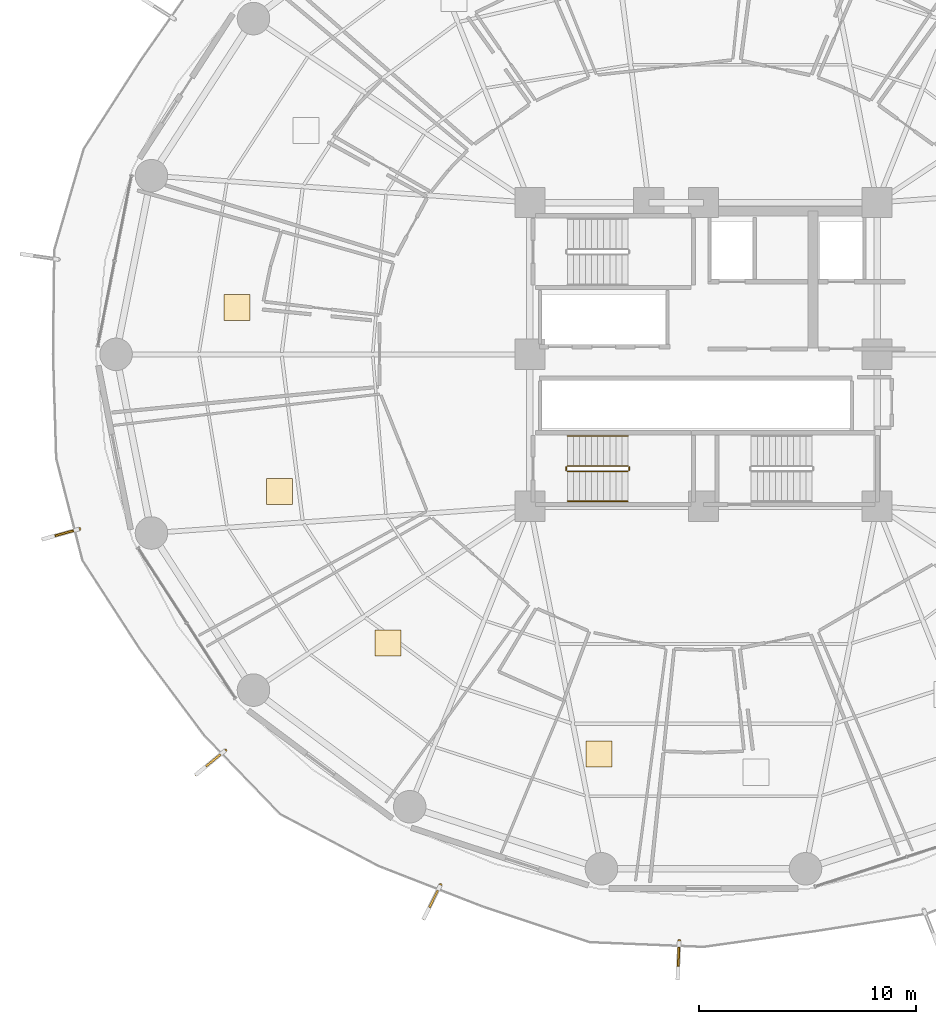
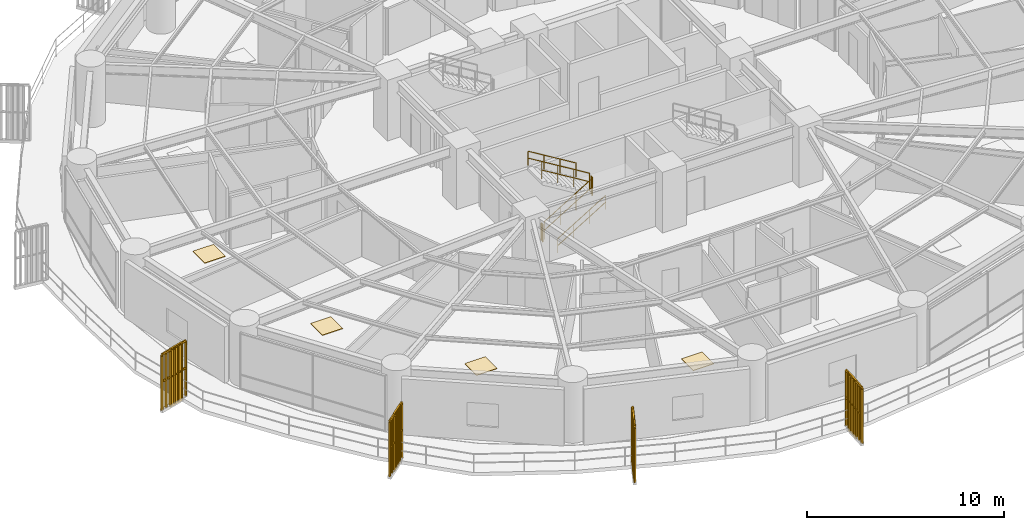
# One storey, part 28 of 32: 10 railings, 4 coverings, 4 shading devices.
"""IFC4 building model written with IfcOpenShell, lengths in metres."""

from ifc_helpers import new_model, si_unit, direction, frame, origin, origin_2d, place, context, subcontext, project, spatial, polyline, rectangle, outline, extrude, source, transform, mapped, material, layer, layer_set, type_object, element, save


model = new_model("IFC4")

# Units and contexts
model_context = context("Model", 3, precision=1e-05, world=origin(), true_north=direction((0.0, 1.0)))
body_context = subcontext(model_context, "Body", "Model", "MODEL_VIEW")
ifc_project = project(units=[si_unit("LENGTHUNIT", "METRE"), si_unit("AREAUNIT", "SQUARE_METRE"), si_unit("VOLUMEUNIT", "CUBIC_METRE"), si_unit("PLANEANGLEUNIT", "RADIAN"), si_unit("MASSUNIT", "GRAM", prefix="KILO")], contexts=[model_context])

# Site, building, storey
site_placement = place(None, origin())
site = spatial("IfcSite", under=ifc_project, at=site_placement, CompositionType="ELEMENT")
building_placement = place(site_placement, origin())
building = spatial("IfcBuilding", under=site, at=building_placement, Name="Kelanora Arch Commons", CompositionType="ELEMENT")
storey_placement = place(building_placement, frame((0.0, 0.0, 52.5)))
storey = spatial("IfcBuildingStorey", under=building, at=storey_placement, Name="L13", CompositionType="ELEMENT", Elevation=52.5)

# Railings
ifc_material_1 = material(Name="Anodised bronze vertical shading fin rib assembly")
railing_type_1 = type_object("IfcRailingType", Name="RAIL-FIN-BRZ", PredefinedType="BALUSTRADE", material=ifc_material_1)
railing_1_placement = place(storey_placement, frame((45.227294921875, 49.94873046875, -0.02001953125)))
element("IfcRailing", 1, at=railing_1_placement, inside=storey, type_object=railing_type_1, Name="Sweeping Bronze Vertical Fin Blade L13-07", PredefinedType="BALUSTRADE", context=body_context, shape_type="SweptSolid", body=[
    extrude(outline(polyline([(0.06982421875, 0.0), (0.034912109375, 0.060546875), (-0.034912109375, 0.060546875), (-0.06982421875, 0.0), (-0.034912109375, -0.060546875), (0.034912109375, -0.060546875), (0.06982421875, 0.0)])), frame((0.0, 0.0, 3.419921875), z_axis=(-0.962990396247, -0.269535705866, 0.0), x_axis=(0.269535705866, -0.962990396247, 0.0)), (0.0, 0.0, 1.0), 1.72998046875),
    extrude(outline(polyline([(0.06982421875, 0.0), (0.034912109375, 0.060546875), (-0.034912109375, 0.060546875), (-0.06982421875, 0.0), (-0.034912109375, -0.060546875), (0.034912109375, -0.060546875), (0.06982421875, 0.0)])), frame((0.0, 0.0, 1.7451171875), z_axis=(-0.962990396247, -0.269535705866, 0.0), x_axis=(0.269535705866, -0.962990396247, 0.0)), (0.0, 0.0, 1.0), 1.72998046875),
    extrude(outline(polyline([(0.080078125, 0.0), (0.0400390625, 0.0693359375), (-0.0400390625, 0.0693359375), (-0.080078125, 0.0), (-0.0400390625, -0.0693359375), (0.0400390625, -0.0693359375), (0.080078125, 0.0)])), origin(), (0.0, 0.0, 1.0), 3.35009765625),
    extrude(outline(polyline([(0.080078125, 0.0), (0.0400390625, 0.0693359375), (-0.0400390625, 0.0693359375), (-0.080078125, 0.0), (-0.0400390625, -0.0693359375), (0.0400390625, -0.0693359375), (0.080078125, 0.0)])), frame((-0.277587890625, -0.07763671875, 0.0)), (0.0, 0.0, 1.0), 3.35009765625),
    extrude(outline(polyline([(0.080078125, 0.0), (0.0400390625, 0.0693359375), (-0.0400390625, 0.0693359375), (-0.080078125, 0.0), (-0.0400390625, -0.0693359375), (0.0400390625, -0.0693359375), (0.080078125, 0.0)])), frame((-0.555419921875, -0.155517578125, 0.0)), (0.0, 0.0, 1.0), 3.35009765625),
    extrude(outline(polyline([(0.080078125, 0.0), (0.0400390625, 0.0693359375), (-0.0400390625, 0.0693359375), (-0.080078125, 0.0), (-0.0400390625, -0.0693359375), (0.0400390625, -0.0693359375), (0.080078125, 0.0)])), frame((-0.8330078125, -0.233154296875, 0.0)), (0.0, 0.0, 1.0), 3.35009765625),
    extrude(outline(polyline([(0.080078125, 0.0), (0.0400390625, 0.0693359375), (-0.0400390625, 0.0693359375), (-0.080078125, 0.0), (-0.0400390625, -0.0693359375), (0.0400390625, -0.0693359375), (0.080078125, 0.0)])), frame((-1.110595703125, -0.310791015625, 0.0)), (0.0, 0.0, 1.0), 3.35009765625),
    extrude(outline(polyline([(0.080078125, 0.0), (0.0400390625, 0.0693359375), (-0.0400390625, 0.0693359375), (-0.080078125, 0.0), (-0.0400390625, -0.0693359375), (0.0400390625, -0.0693359375), (0.080078125, 0.0)])), frame((-1.388427734375, -0.388671875, 0.0)), (0.0, 0.0, 1.0), 3.35009765625),
    extrude(outline(polyline([(0.080078125, 0.0), (0.0400390625, 0.0693359375), (-0.0400390625, 0.0693359375), (-0.080078125, 0.0), (-0.0400390625, -0.0693359375), (0.0400390625, -0.0693359375), (0.080078125, 0.0)])), frame((-1.666015625, -0.46630859375, 0.0)), (0.0, 0.0, 1.0), 3.35009765625),
])
railing_2_placement = place(storey_placement, frame((51.9580078125, 39.743896484375, -0.02001953125)))
element("IfcRailing", 2, at=railing_2_placement, inside=storey, type_object=railing_type_1, Name="Sweeping Bronze Vertical Fin Blade L13-08", PredefinedType="BALUSTRADE", context=body_context, shape_type="SweptSolid", body=[
    extrude(outline(polyline([(0.06982421875, 0.0), (0.034912109375, 0.060546875), (-0.034912109375, 0.060546875), (-0.06982421875, 0.0), (-0.034912109375, -0.060546875), (0.034912109375, -0.060546875), (0.06982421875, 0.0)])), frame((0.0, 0.0, 3.419921875), z_axis=(-0.770126541387, -0.637891142948, 0.0), x_axis=(0.637891142948, -0.770126541387, 0.0)), (0.0, 0.0, 1.0), 1.72998046875),
    extrude(outline(polyline([(0.06982421875, 0.0), (0.034912109375, 0.060546875), (-0.034912109375, 0.060546875), (-0.06982421875, 0.0), (-0.034912109375, -0.060546875), (0.034912109375, -0.060546875), (0.06982421875, 0.0)])), frame((0.0, 0.0, 1.7451171875), z_axis=(-0.770126541387, -0.637891142948, 0.0), x_axis=(0.637891142948, -0.770126541387, 0.0)), (0.0, 0.0, 1.0), 1.72998046875),
    extrude(outline(polyline([(0.080078125, 0.0), (0.0400390625, 0.0693359375), (-0.0400390625, 0.0693359375), (-0.080078125, 0.0), (-0.0400390625, -0.0693359375), (0.0400390625, -0.0693359375), (0.080078125, 0.0)])), origin(), (0.0, 0.0, 1.0), 3.35009765625),
    extrude(outline(polyline([(0.080078125, 0.0), (0.0400390625, 0.0693359375), (-0.0400390625, 0.0693359375), (-0.080078125, 0.0), (-0.0400390625, -0.0693359375), (0.0400390625, -0.0693359375), (0.080078125, 0.0)])), frame((-0.22216796875, -0.183837890625, 0.0)), (0.0, 0.0, 1.0), 3.35009765625),
    extrude(outline(polyline([(0.080078125, 0.0), (0.0400390625, 0.0693359375), (-0.0400390625, 0.0693359375), (-0.080078125, 0.0), (-0.0400390625, -0.0693359375), (0.0400390625, -0.0693359375), (0.080078125, 0.0)])), frame((-0.444091796875, -0.367919921875, 0.0)), (0.0, 0.0, 1.0), 3.35009765625),
    extrude(outline(polyline([(0.080078125, 0.0), (0.0400390625, 0.0693359375), (-0.0400390625, 0.0693359375), (-0.080078125, 0.0), (-0.0400390625, -0.0693359375), (0.0400390625, -0.0693359375), (0.080078125, 0.0)])), frame((-0.666015625, -0.5517578125, 0.0)), (0.0, 0.0, 1.0), 3.35009765625),
    extrude(outline(polyline([(0.080078125, 0.0), (0.0400390625, 0.0693359375), (-0.0400390625, 0.0693359375), (-0.080078125, 0.0), (-0.0400390625, -0.0693359375), (0.0400390625, -0.0693359375), (0.080078125, 0.0)])), frame((-0.88818359375, -0.735595703125, 0.0)), (0.0, 0.0, 1.0), 3.35009765625),
    extrude(outline(polyline([(0.080078125, 0.0), (0.0400390625, 0.0693359375), (-0.0400390625, 0.0693359375), (-0.080078125, 0.0), (-0.0400390625, -0.0693359375), (0.0400390625, -0.0693359375), (0.080078125, 0.0)])), frame((-1.1103515625, -0.919677734375, 0.0)), (0.0, 0.0, 1.0), 3.35009765625),
    extrude(outline(polyline([(0.080078125, 0.0), (0.0400390625, 0.0693359375), (-0.0400390625, 0.0693359375), (-0.080078125, 0.0), (-0.0400390625, -0.0693359375), (0.0400390625, -0.0693359375), (0.080078125, 0.0)])), frame((-1.332275390625, -1.103515625, 0.0)), (0.0, 0.0, 1.0), 3.35009765625),
])
railing_3_placement = place(storey_placement, frame((61.877197265625, 33.543212890625, -0.02001953125)))
element("IfcRailing", 3, at=railing_3_placement, inside=storey, type_object=railing_type_1, Name="Sweeping Bronze Vertical Fin Blade L13-09", PredefinedType="BALUSTRADE", context=body_context, shape_type="SweptSolid", body=[
    extrude(outline(polyline([(0.06982421875, 0.0), (0.034912109375, 0.060546875), (-0.034912109375, 0.060546875), (-0.06982421875, 0.0), (-0.034912109375, -0.060546875), (0.034912109375, -0.060546875), (0.06982421875, 0.0)])), frame((0.0, 0.0, 3.419921875), z_axis=(-0.444106250093, -0.895974128325, 0.0), x_axis=(0.895974128325, -0.444106250093, 0.0)), (0.0, 0.0, 1.0), 1.72998046875),
    extrude(outline(polyline([(0.06982421875, 0.0), (0.034912109375, 0.060546875), (-0.034912109375, 0.060546875), (-0.06982421875, 0.0), (-0.034912109375, -0.060546875), (0.034912109375, -0.060546875), (0.06982421875, 0.0)])), frame((0.0, 0.0, 1.7451171875), z_axis=(-0.444106250093, -0.895974128325, 0.0), x_axis=(0.895974128325, -0.444106250093, 0.0)), (0.0, 0.0, 1.0), 1.72998046875),
    extrude(outline(polyline([(0.080078125, 0.0), (0.0400390625, 0.0693359375), (-0.0400390625, 0.0693359375), (-0.080078125, 0.0), (-0.0400390625, -0.0693359375), (0.0400390625, -0.0693359375), (0.080078125, 0.0)])), origin(), (0.0, 0.0, 1.0), 3.35009765625),
    extrude(outline(polyline([(0.080078125, 0.0), (0.0400390625, 0.0693359375), (-0.0400390625, 0.0693359375), (-0.080078125, 0.0), (-0.0400390625, -0.0693359375), (0.0400390625, -0.0693359375), (0.080078125, 0.0)])), frame((-0.1279296875, -0.25830078125, 0.0)), (0.0, 0.0, 1.0), 3.35009765625),
    extrude(outline(polyline([(0.080078125, 0.0), (0.0400390625, 0.0693359375), (-0.0400390625, 0.0693359375), (-0.080078125, 0.0), (-0.0400390625, -0.0693359375), (0.0400390625, -0.0693359375), (0.080078125, 0.0)])), frame((-0.256103515625, -0.5166015625, 0.0)), (0.0, 0.0, 1.0), 3.35009765625),
    extrude(outline(polyline([(0.080078125, 0.0), (0.0400390625, 0.0693359375), (-0.0400390625, 0.0693359375), (-0.080078125, 0.0), (-0.0400390625, -0.0693359375), (0.0400390625, -0.0693359375), (0.080078125, 0.0)])), frame((-0.38427734375, -0.77490234375, 0.0)), (0.0, 0.0, 1.0), 3.35009765625),
    extrude(outline(polyline([(0.080078125, 0.0), (0.0400390625, 0.0693359375), (-0.0400390625, 0.0693359375), (-0.080078125, 0.0), (-0.0400390625, -0.0693359375), (0.0400390625, -0.0693359375), (0.080078125, 0.0)])), frame((-0.51220703125, -1.033447265625, 0.0)), (0.0, 0.0, 1.0), 3.35009765625),
    extrude(outline(polyline([(0.080078125, 0.0), (0.0400390625, 0.0693359375), (-0.0400390625, 0.0693359375), (-0.080078125, 0.0), (-0.0400390625, -0.0693359375), (0.0400390625, -0.0693359375), (0.080078125, 0.0)])), frame((-0.64013671875, -1.291748046875, 0.0)), (0.0, 0.0, 1.0), 3.35009765625),
    extrude(outline(polyline([(0.080078125, 0.0), (0.0400390625, 0.0693359375), (-0.0400390625, 0.0693359375), (-0.080078125, 0.0), (-0.0400390625, -0.0693359375), (0.0400390625, -0.0693359375), (0.080078125, 0.0)])), frame((-0.768310546875, -1.550048828125, 0.0)), (0.0, 0.0, 1.0), 3.35009765625),
])
railing_4_placement = place(storey_placement, frame((72.882080078125, 30.957763671875, -0.02001953125)))
element("IfcRailing", 4, at=railing_4_placement, inside=storey, type_object=railing_type_1, Name="Sweeping Bronze Vertical Fin Blade L13-10", PredefinedType="BALUSTRADE", context=body_context, shape_type="SweptSolid", body=[
    extrude(outline(polyline([(0.06982421875, 0.0), (0.034912109375, 0.060546875), (-0.034912109375, 0.060546875), (-0.06982421875, 0.0), (-0.034912109375, -0.060546875), (0.034912109375, -0.060546875), (0.06982421875, 0.0)])), frame((0.0, 0.0, 3.419921875), z_axis=(-0.041207905834, -0.999150593503, 0.0), x_axis=(0.999150593503, -0.041207905834, 0.0)), (0.0, 0.0, 1.0), 1.72998046875),
    extrude(outline(polyline([(0.06982421875, 0.0), (0.034912109375, 0.060546875), (-0.034912109375, 0.060546875), (-0.06982421875, 0.0), (-0.034912109375, -0.060546875), (0.034912109375, -0.060546875), (0.06982421875, 0.0)])), frame((0.0, 0.0, 1.7451171875), z_axis=(-0.041207905834, -0.999150593503, 0.0), x_axis=(0.999150593503, -0.041207905834, 0.0)), (0.0, 0.0, 1.0), 1.72998046875),
    extrude(outline(polyline([(0.080078125, 0.0), (0.0400390625, 0.0693359375), (-0.0400390625, 0.0693359375), (-0.080078125, 0.0), (-0.0400390625, -0.0693359375), (0.0400390625, -0.0693359375), (0.080078125, 0.0)])), origin(), (0.0, 0.0, 1.0), 3.35009765625),
    extrude(outline(polyline([(0.080078125, 0.0), (0.0400390625, 0.0693359375), (-0.0400390625, 0.0693359375), (-0.080078125, 0.0), (-0.0400390625, -0.0693359375), (0.0400390625, -0.0693359375), (0.080078125, 0.0)])), frame((-0.011962890625, -0.2880859375, 0.0)), (0.0, 0.0, 1.0), 3.35009765625),
    extrude(outline(polyline([(0.080078125, 0.0), (0.0400390625, 0.0693359375), (-0.0400390625, 0.0693359375), (-0.080078125, 0.0), (-0.0400390625, -0.0693359375), (0.0400390625, -0.0693359375), (0.080078125, 0.0)])), frame((-0.023681640625, -0.576171875, 0.0)), (0.0, 0.0, 1.0), 3.35009765625),
    extrude(outline(polyline([(0.080078125, 0.0), (0.0400390625, 0.0693359375), (-0.0400390625, 0.0693359375), (-0.080078125, 0.0), (-0.0400390625, -0.0693359375), (0.0400390625, -0.0693359375), (0.080078125, 0.0)])), frame((-0.03564453125, -0.8642578125, 0.0)), (0.0, 0.0, 1.0), 3.35009765625),
    extrude(outline(polyline([(0.080078125, 0.0), (0.0400390625, 0.0693359375), (-0.0400390625, 0.0693359375), (-0.080078125, 0.0), (-0.0400390625, -0.0693359375), (0.0400390625, -0.0693359375), (0.080078125, 0.0)])), frame((-0.047607421875, -1.15234375, 0.0)), (0.0, 0.0, 1.0), 3.35009765625),
    extrude(outline(polyline([(0.080078125, 0.0), (0.0400390625, 0.0693359375), (-0.0400390625, 0.0693359375), (-0.080078125, 0.0), (-0.0400390625, -0.0693359375), (0.0400390625, -0.0693359375), (0.080078125, 0.0)])), frame((-0.059326171875, -1.4404296875, 0.0)), (0.0, 0.0, 1.0), 3.35009765625),
    extrude(outline(polyline([(0.080078125, 0.0), (0.0400390625, 0.0693359375), (-0.0400390625, 0.0693359375), (-0.080078125, 0.0), (-0.0400390625, -0.0693359375), (0.0400390625, -0.0693359375), (0.080078125, 0.0)])), frame((-0.0712890625, -1.728515625, 0.0)), (0.0, 0.0, 1.0), 3.35009765625),
])
ifc_material_2 = material(Name="Painted steel stair well guard", Category="steel")
railing_type_2 = type_object("IfcRailingType", Name="RAIL-STAIR-GRD", PredefinedType="GUARDRAIL", material=ifc_material_2)
railing_5_placement = place(storey_placement, frame((67.719970703125, 52.610107421875, 0.17041015625)))
element("IfcRailing", 5, at=railing_5_placement, inside=storey, type_object=railing_type_2, Name="L13 ST-T3 stair guard 1", PredefinedType="GUARDRAIL", context=body_context, shape_type="SweptSolid", body=[
    extrude(outline(polyline([(0.02392578125, 0.0), (0.011962890625, 0.020751953125), (-0.011962890625, 0.020751953125), (-0.02392578125, 0.0), (-0.011962890625, -0.020751953125), (0.011962890625, -0.020751953125), (0.02392578125, 0.0)])), frame((0.0, 0.0, 1.076171875), z_axis=(0.854169791009, 0.0, 0.51999420009), x_axis=(0.0, 1.0, 0.0)), (0.0, 0.0, 1.0), 3.278076171875),
    extrude(outline(polyline([(0.02392578125, 0.0), (0.011962890625, 0.020751953125), (-0.011962890625, 0.020751953125), (-0.02392578125, 0.0), (-0.011962890625, -0.020751953125), (0.011962890625, -0.020751953125), (0.02392578125, 0.0)])), frame((0.0, 0.0, 0.550048828125), z_axis=(0.854169791009, 0.0, 0.51999420009), x_axis=(0.0, 1.0, 0.0)), (0.0, 0.0, 1.0), 3.278076171875),
    extrude(outline(polyline([(0.02099609375, 0.0), (0.010498046875, 0.01806640625), (-0.010498046875, 0.01806640625), (-0.02099609375, 0.0), (-0.010498046875, -0.01806640625), (0.010498046875, -0.01806640625), (0.02099609375, 0.0)])), origin(), (0.0, 0.0, 1.0), 1.052001953125),
    extrude(outline(polyline([(0.02099609375, 0.0), (0.010498046875, 0.01806640625), (-0.010498046875, 0.01806640625), (-0.02099609375, 0.0), (-0.010498046875, -0.01806640625), (0.010498046875, -0.01806640625), (0.02099609375, 0.0)])), frame((0.933349609375, 0.0, 0.568115234375)), (0.0, 0.0, 1.0), 1.052001953125),
    extrude(outline(polyline([(0.02099609375, 0.0), (0.010498046875, 0.01806640625), (-0.010498046875, 0.01806640625), (-0.02099609375, 0.0), (-0.010498046875, -0.01806640625), (0.010498046875, -0.01806640625), (0.02099609375, 0.0)])), frame((1.86669921875, 0.0, 1.136474609375)), (0.0, 0.0, 1.0), 1.052001953125),
    extrude(outline(polyline([(0.02099609375, 0.0), (0.010498046875, 0.01806640625), (-0.010498046875, 0.01806640625), (-0.02099609375, 0.0), (-0.010498046875, -0.01806640625), (0.010498046875, -0.01806640625), (0.02099609375, 0.0)])), frame((2.800048828125, 0.0, 1.70458984375)), (0.0, 0.0, 1.0), 1.052001953125),
])
railing_6_placement = place(storey_placement, frame((70.570068359375, 52.659912109375, 1.875)))
element("IfcRailing", 6, at=railing_6_placement, inside=storey, type_object=railing_type_2, Name="L13 ST-T3 stair guard 2", PredefinedType="GUARDRAIL", context=body_context, shape_type="SweptSolid", body=[
    extrude(outline(polyline([(0.02392578125, 0.0), (0.011962890625, 0.020751953125), (-0.011962890625, 0.020751953125), (-0.02392578125, 0.0), (-0.011962890625, -0.020751953125), (0.011962890625, -0.020751953125), (0.02392578125, 0.0)])), frame((0.0, 0.0, 1.076171875), z_axis=(0.0, 1.0, 0.0), x_axis=(-1.0, 0.0, 0.0)), (0.0, 0.0, 1.0), 0.150146484375),
    extrude(outline(polyline([(0.02392578125, 0.0), (0.011962890625, 0.020751953125), (-0.011962890625, 0.020751953125), (-0.02392578125, 0.0), (-0.011962890625, -0.020751953125), (0.011962890625, -0.020751953125), (0.02392578125, 0.0)])), frame((0.0, 0.0, 0.550048828125), z_axis=(0.0, 1.0, 0.0), x_axis=(-1.0, 0.0, 0.0)), (0.0, 0.0, 1.0), 0.150146484375),
    extrude(outline(polyline([(0.02099609375, 0.0), (0.010498046875, 0.01806640625), (-0.010498046875, 0.01806640625), (-0.02099609375, 0.0), (-0.010498046875, -0.01806640625), (0.010498046875, -0.01806640625), (0.02099609375, 0.0)])), origin(), (0.0, 0.0, 1.0), 1.052001953125),
    extrude(outline(polyline([(0.02099609375, 0.0), (0.010498046875, 0.01806640625), (-0.010498046875, 0.01806640625), (-0.02099609375, 0.0), (-0.010498046875, -0.01806640625), (0.010498046875, -0.01806640625), (0.02099609375, 0.0)])), frame((0.0, 0.150146484375, 0.0)), (0.0, 0.0, 1.0), 1.052001953125),
])
railing_7_placement = place(storey_placement, frame((70.52001953125, 52.860107421875, 2.04541015625)))
element("IfcRailing", 7, at=railing_7_placement, inside=storey, type_object=railing_type_2, Name="L13 ST-T3 stair guard 3", PredefinedType="GUARDRAIL", context=body_context, shape_type="SweptSolid", body=[
    extrude(outline(polyline([(0.02392578125, 0.0), (0.011962890625, 0.020751953125), (-0.011962890625, 0.020751953125), (-0.02392578125, 0.0), (-0.011962890625, -0.020751953125), (0.011962890625, -0.020751953125), (0.02392578125, 0.0)])), frame((0.0, 0.0, 1.076171875), z_axis=(-0.854169791009, 0.0, 0.51999420009), x_axis=(0.0, -1.0, 0.0)), (0.0, 0.0, 1.0), 3.278076171875),
    extrude(outline(polyline([(0.02392578125, 0.0), (0.011962890625, 0.020751953125), (-0.011962890625, 0.020751953125), (-0.02392578125, 0.0), (-0.011962890625, -0.020751953125), (0.011962890625, -0.020751953125), (0.02392578125, 0.0)])), frame((0.0, 0.0, 0.550048828125), z_axis=(-0.854169791009, 0.0, 0.51999420009), x_axis=(0.0, -1.0, 0.0)), (0.0, 0.0, 1.0), 3.278076171875),
    extrude(outline(polyline([(0.02099609375, 0.0), (0.010498046875, 0.01806640625), (-0.010498046875, 0.01806640625), (-0.02099609375, 0.0), (-0.010498046875, -0.01806640625), (0.010498046875, -0.01806640625), (0.02099609375, 0.0)])), origin(), (0.0, 0.0, 1.0), 1.052001953125),
    extrude(outline(polyline([(0.02099609375, 0.0), (0.010498046875, 0.01806640625), (-0.010498046875, 0.01806640625), (-0.02099609375, 0.0), (-0.010498046875, -0.01806640625), (0.010498046875, -0.01806640625), (0.02099609375, 0.0)])), frame((-0.933349609375, 0.0, 0.568115234375)), (0.0, 0.0, 1.0), 1.052001953125),
    extrude(outline(polyline([(0.02099609375, 0.0), (0.010498046875, 0.01806640625), (-0.010498046875, 0.01806640625), (-0.02099609375, 0.0), (-0.010498046875, -0.01806640625), (0.010498046875, -0.01806640625), (0.02099609375, 0.0)])), frame((-1.86669921875, 0.0, 1.136474609375)), (0.0, 0.0, 1.0), 1.052001953125),
    extrude(outline(polyline([(0.02099609375, 0.0), (0.010498046875, 0.01806640625), (-0.010498046875, 0.01806640625), (-0.02099609375, 0.0), (-0.010498046875, -0.01806640625), (0.010498046875, -0.01806640625), (0.02099609375, 0.0)])), frame((-2.800048828125, 0.0, 1.70458984375)), (0.0, 0.0, 1.0), 1.052001953125),
])
railing_8_placement = place(storey_placement, frame((67.669921875, 52.659912109375, 0.0)))
element("IfcRailing", 8, at=railing_8_placement, inside=storey, type_object=railing_type_2, Name="L13 ST-T3 stair guard 4", PredefinedType="GUARDRAIL", context=body_context, shape_type="SweptSolid", body=[
    extrude(outline(polyline([(0.02392578125, 0.0), (0.011962890625, 0.020751953125), (-0.011962890625, 0.020751953125), (-0.02392578125, 0.0), (-0.011962890625, -0.020751953125), (0.011962890625, -0.020751953125), (0.02392578125, 0.0)])), frame((0.0, 0.0, 1.076171875), z_axis=(0.0, 1.0, 0.0), x_axis=(-1.0, 0.0, 0.0)), (0.0, 0.0, 1.0), 0.150146484375),
    extrude(outline(polyline([(0.02392578125, 0.0), (0.011962890625, 0.020751953125), (-0.011962890625, 0.020751953125), (-0.02392578125, 0.0), (-0.011962890625, -0.020751953125), (0.011962890625, -0.020751953125), (0.02392578125, 0.0)])), frame((0.0, 0.0, 0.550048828125), z_axis=(0.0, 1.0, 0.0), x_axis=(-1.0, 0.0, 0.0)), (0.0, 0.0, 1.0), 0.150146484375),
    extrude(outline(polyline([(0.02099609375, 0.0), (0.010498046875, 0.01806640625), (-0.010498046875, 0.01806640625), (-0.02099609375, 0.0), (-0.010498046875, -0.01806640625), (0.010498046875, -0.01806640625), (0.02099609375, 0.0)])), origin(), (0.0, 0.0, 1.0), 1.052001953125),
    extrude(outline(polyline([(0.02099609375, 0.0), (0.010498046875, 0.01806640625), (-0.010498046875, 0.01806640625), (-0.02099609375, 0.0), (-0.010498046875, -0.01806640625), (0.010498046875, -0.01806640625), (0.02099609375, 0.0)])), frame((0.0, 0.150146484375, 0.0)), (0.0, 0.0, 1.0), 1.052001953125),
])
ifc_material_3 = material(Name="Brushed stainless steel stair handrail", Category="steel")
railing_type_3 = type_object("IfcRailingType", Name="RAIL-STAIR-HND", PredefinedType="HANDRAIL", material=ifc_material_3)
railing_9_placement = place(storey_placement, frame((67.719970703125, 51.22998046875, 0.17041015625)))
element("IfcRailing", 9, at=railing_9_placement, inside=storey, type_object=railing_type_3, Name="L13 ST-T3 stair handrail 1", PredefinedType="HANDRAIL", context=body_context, shape_type="SweptSolid", body=[
    extrude(outline(polyline([(0.02392578125, 0.0), (0.011962890625, 0.020751953125), (-0.011962890625, 0.020751953125), (-0.02392578125, 0.0), (-0.011962890625, -0.020751953125), (0.011962890625, -0.020751953125), (0.02392578125, 0.0)])), frame((0.0, 0.0, 0.8759765625), z_axis=(0.854169791009, 0.0, 0.51999420009), x_axis=(0.0, 1.0, 0.0)), (0.0, 0.0, 1.0), 3.278076171875),
    extrude(outline(polyline([(0.02392578125, 0.0), (0.011962890625, 0.020751953125), (-0.011962890625, 0.020751953125), (-0.02392578125, 0.0), (-0.011962890625, -0.020751953125), (0.011962890625, -0.020751953125), (0.02392578125, 0.0)])), frame((0.0, 0.0, 0.449951171875), z_axis=(0.854169791009, 0.0, 0.51999420009), x_axis=(0.0, 1.0, 0.0)), (0.0, 0.0, 1.0), 3.278076171875),
    extrude(outline(polyline([(0.02099609375, 0.0), (0.010498046875, 0.01806640625), (-0.010498046875, 0.01806640625), (-0.02099609375, 0.0), (-0.010498046875, -0.01806640625), (0.010498046875, -0.01806640625), (0.02099609375, 0.0)])), origin(), (0.0, 0.0, 1.0), 0.851806640625),
    extrude(outline(polyline([(0.02099609375, 0.0), (0.010498046875, 0.01806640625), (-0.010498046875, 0.01806640625), (-0.02099609375, 0.0), (-0.010498046875, -0.01806640625), (0.010498046875, -0.01806640625), (0.02099609375, 0.0)])), frame((0.933349609375, 0.0, 0.568115234375)), (0.0, 0.0, 1.0), 0.851806640625),
    extrude(outline(polyline([(0.02099609375, 0.0), (0.010498046875, 0.01806640625), (-0.010498046875, 0.01806640625), (-0.02099609375, 0.0), (-0.010498046875, -0.01806640625), (0.010498046875, -0.01806640625), (0.02099609375, 0.0)])), frame((1.86669921875, 0.0, 1.136474609375)), (0.0, 0.0, 1.0), 0.851806640625),
    extrude(outline(polyline([(0.02099609375, 0.0), (0.010498046875, 0.01806640625), (-0.010498046875, 0.01806640625), (-0.02099609375, 0.0), (-0.010498046875, -0.01806640625), (0.010498046875, -0.01806640625), (0.02099609375, 0.0)])), frame((2.800048828125, 0.0, 1.70458984375)), (0.0, 0.0, 1.0), 0.851806640625),
])
railing_10_placement = place(storey_placement, frame((70.52001953125, 54.239990234375, 2.04541015625)))
element("IfcRailing", 10, at=railing_10_placement, inside=storey, type_object=railing_type_3, Name="L13 ST-T3 stair handrail 2", PredefinedType="HANDRAIL", context=body_context, shape_type="SweptSolid", body=[
    extrude(outline(polyline([(0.02392578125, 0.0), (0.011962890625, 0.020751953125), (-0.011962890625, 0.020751953125), (-0.02392578125, 0.0), (-0.011962890625, -0.020751953125), (0.011962890625, -0.020751953125), (0.02392578125, 0.0)])), frame((0.0, 0.0, 0.8759765625), z_axis=(-0.854169791009, 0.0, 0.51999420009), x_axis=(0.0, -1.0, 0.0)), (0.0, 0.0, 1.0), 3.278076171875),
    extrude(outline(polyline([(0.02392578125, 0.0), (0.011962890625, 0.020751953125), (-0.011962890625, 0.020751953125), (-0.02392578125, 0.0), (-0.011962890625, -0.020751953125), (0.011962890625, -0.020751953125), (0.02392578125, 0.0)])), frame((0.0, 0.0, 0.449951171875), z_axis=(-0.854169791009, 0.0, 0.51999420009), x_axis=(0.0, -1.0, 0.0)), (0.0, 0.0, 1.0), 3.278076171875),
    extrude(outline(polyline([(0.02099609375, 0.0), (0.010498046875, 0.01806640625), (-0.010498046875, 0.01806640625), (-0.02099609375, 0.0), (-0.010498046875, -0.01806640625), (0.010498046875, -0.01806640625), (0.02099609375, 0.0)])), origin(), (0.0, 0.0, 1.0), 0.851806640625),
    extrude(outline(polyline([(0.02099609375, 0.0), (0.010498046875, 0.01806640625), (-0.010498046875, 0.01806640625), (-0.02099609375, 0.0), (-0.010498046875, -0.01806640625), (0.010498046875, -0.01806640625), (0.02099609375, 0.0)])), frame((-0.933349609375, 0.0, 0.568115234375)), (0.0, 0.0, 1.0), 0.851806640625),
    extrude(outline(polyline([(0.02099609375, 0.0), (0.010498046875, 0.01806640625), (-0.010498046875, 0.01806640625), (-0.02099609375, 0.0), (-0.010498046875, -0.01806640625), (0.010498046875, -0.01806640625), (0.02099609375, 0.0)])), frame((-1.86669921875, 0.0, 1.136474609375)), (0.0, 0.0, 1.0), 0.851806640625),
    extrude(outline(polyline([(0.02099609375, 0.0), (0.010498046875, 0.01806640625), (-0.010498046875, 0.01806640625), (-0.02099609375, 0.0), (-0.010498046875, -0.01806640625), (0.010498046875, -0.01806640625), (0.02099609375, 0.0)])), frame((-2.800048828125, 0.0, 1.70458984375)), (0.0, 0.0, 1.0), 0.851806640625),
])

# Shading devices
ifc_material_4 = material(Name="Terracotta ceramic-clad extruded aluminium fin", Category="masonry")
shading_device_type = type_object("IfcShadingDeviceType", Name="SHD-FIN-FLARE", PredefinedType="USERDEFINED", material=ifc_material_4)
shared_shape_1 = source(origin(), body_context, "Body", "SweptSolid", [
    extrude(rectangle(XDim=0.8798828125, YDim=0.090087890625, at=origin_2d()), origin(), (0.0, 0.0, 1.0), 3.610107421875),
])
for number, where, z_axis, x_axis, name in (
    (11, (44.533935546875, 49.754638671875, -0.14013671875), (0.0, 0.0, 1.0), (-0.963021628687, -0.26942409447, 0.0), "Sweeping Terracotta Fin L13-07"),
    (12, (51.403564453125, 39.28466796875, -0.14013671875), (0.0, 0.0, 1.0), (-0.77017938275, -0.637827342144, 0.0), "Sweeping Terracotta Fin L13-08"),
    (13, (61.557373046875, 32.898193359375, -0.14013671875), (0.0, 0.0, 1.0), (-0.444166124676, -0.895944447882, 0.0), "Sweeping Terracotta Fin L13-09"),
    (14, (72.8525390625, 30.23828125, -0.14013671875), (0.0, 0.0, 1.0), (-0.041352508522, -0.999144619181, 0.0), "Sweeping Terracotta Fin L13-10"),
):
    element("IfcShadingDevice", number, at=place(storey_placement, frame(where, z_axis=z_axis, x_axis=x_axis)), inside=storey, type_object=shading_device_type, Name=name, ObjectType="FIN", PredefinedType="USERDEFINED", context=body_context, shape_type="MappedRepresentation", body=[
        mapped(shared_shape_1, transform((0.0, 0.0, 0.0), scale=1.0)),
    ])

# Coverings
ifc_material_5 = material(Name="Polished local granite terrazzo flooring", Category="masonry")
ifc_layer = layer(ifc_material_5, 0.030029296875)
ifc_layer_set = layer_set([ifc_layer], Name="Polished local granite terrazzo flooring")
covering_type = type_object("IfcCoveringType", Name="COV-FLR-TER", PredefinedType="FLOORING", material=ifc_layer_set)
shared_shape_2 = source(origin(), body_context, "Body", "SweptSolid", [
    extrude(rectangle(XDim=1.199951171875, YDim=1.199951171875, at=origin_2d()), origin(), (0.0, 0.0, 1.0), 0.030029296875),
])
for number, where, z_axis, x_axis, name in (
    (15, (52.49462890625, 60.169677734375, 0.0), (0.0, 0.0, 1.0), (1.0, 0.0, 0.0), "Co-Living Studio L13-07 Terrazzo Finish"),
    (16, (54.457275390625, 51.672607421875, 0.0), (0.0, 0.0, 1.0), (1.0, 0.0, 0.0), "Quiet Seminar Study Room L13-08 Terrazzo Finish"),
    (17, (59.45458984375, 44.697265625, 0.0), (0.0, 0.0, 1.0), (1.0, 0.0, 0.0), "Social Sky Lounge L13-09 Terrazzo Finish"),
    (18, (69.173583984375, 39.57470703125, 0.0), (0.0, 0.0, 1.0), (1.0, 0.0, 0.0), "Tutorial Study Alcove L13-10 Terrazzo Finish"),
):
    element("IfcCovering", number, at=place(storey_placement, frame(where, z_axis=z_axis, x_axis=x_axis)), inside=storey, type_object=covering_type, Name=name, PredefinedType="FLOORING", context=body_context, shape_type="MappedRepresentation", body=[
        mapped(shared_shape_2, transform((0.0, 0.0, 0.0), scale=1.0)),
    ])

save(model, "model.ifc")
